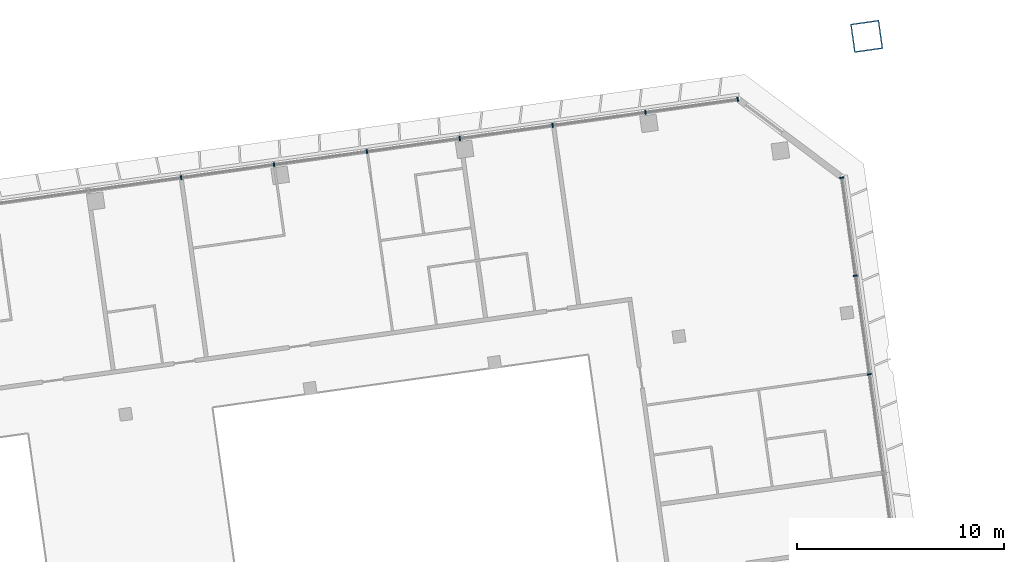
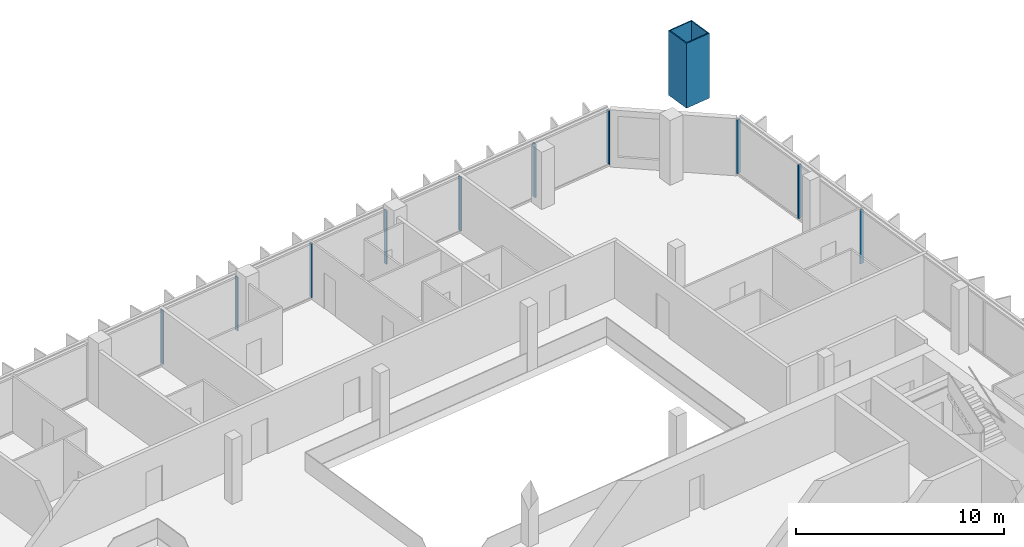
# One storey, part 13 of 25: 11 members, 2 elements without a shape of their own.
"""IFC4 building model written with IfcOpenShell, lengths in metres."""

import ifcopenshell
import ifcopenshell.guid

model = None  # the IFC model being written
_history = None  # IfcOwnerHistory: only IFC2X3 demands one
_inside = {}  # id of a spatial element -> (the spatial element, [elements in it])
_under = {}  # id of a project, library or spatial element -> (it, [spatial elements below it])
_declared = {}  # id of a project -> (the project, [libraries it declares])
_typed = {}  # id of a type object -> (the type object, [elements of that type])
_made_of = {}  # id of a material, layer set ... -> (it, [elements and type objects made of it])


def new_model(schema):
    """Start an empty IFC model of exactly this schema.

    Asked for "IFC4X3", IfcOpenShell would pick the latest addendum, in which some entities
    have other attributes; the version numbers below select the first issue.
    IFC2X3 requires an IfcOwnerHistory on every rooted entity: one is made here for all.
    """
    global model, _history
    if schema == "IFC4X3":
        model = ifcopenshell.file(schema_version=(4, 3, 0, 0))
    else:
        model = ifcopenshell.file(schema=schema)
    _inside.clear()
    _under.clear()
    _declared.clear()
    _typed.clear()
    _made_of.clear()
    _history = None
    if model.schema == "IFC2X3":
        org = make("IfcOrganization", Name="unknown")
        user = make(
            "IfcPersonAndOrganization",
            ThePerson=make("IfcPerson", FamilyName="unknown"),
            TheOrganization=org,
        )
        app = make(
            "IfcApplication",
            ApplicationDeveloper=org,
            Version="unknown",
            ApplicationFullName="unknown",
            ApplicationIdentifier="unknown",
        )
        _history = make(
            "IfcOwnerHistory",
            OwningUser=user,
            OwningApplication=app,
            ChangeAction="ADDED",
            CreationDate=0,
        )
    return model


def make(cls, **values):
    """One entity of the class cls with the attributes given. An attribute that is None is left unset."""
    return model.create_entity(
        cls, **{name: value for name, value in values.items() if value is not None}
    )


def rooted(cls, **values):
    """An entity with a GlobalId (a new one), such as an element, a storey or a relation."""
    return make(cls, GlobalId=ifcopenshell.guid.new(), OwnerHistory=_history, **values)


def si_unit(unit_type, name, prefix=None):
    """IfcSIUnit, for example si_unit("LENGTHUNIT", "METRE", prefix="MILLI")."""
    return make("IfcSIUnit", UnitType=unit_type, Prefix=prefix, Name=name)


def assignment(units):
    """IfcUnitAssignment: the units of a project."""
    return None if units is None else make("IfcUnitAssignment", Units=units)


def point(xyz):
    """IfcCartesianPoint."""
    return None if xyz is None else make("IfcCartesianPoint", Coordinates=xyz)


def direction(xyz):
    """IfcDirection."""
    return None if xyz is None else make("IfcDirection", DirectionRatios=xyz)


def frame(location, z_axis=None, x_axis=None):
    """IfcAxis2Placement3D, a coordinate frame: its origin and axes. An axis left out is left unset."""
    return make(
        "IfcAxis2Placement3D",
        Location=point(location),
        Axis=direction(z_axis),
        RefDirection=direction(x_axis),
    )


def frame_2d(location, x_axis=None):
    """IfcAxis2Placement2D, a coordinate frame in the plane: its origin and x axis."""
    return make(
        "IfcAxis2Placement2D", Location=point(location), RefDirection=direction(x_axis)
    )


def origin():
    """The frame at (0, 0, 0) with its axes left unset."""
    return frame((0.0, 0.0, 0.0))


def origin_2d():
    """The frame at (0, 0) in the plane with its x axis left unset."""
    return frame_2d((0.0, 0.0))


def place(relative_to, where):
    """IfcLocalPlacement: puts the frame where relative to a parent placement (None: the world)."""
    return make(
        "IfcLocalPlacement", PlacementRelTo=relative_to, RelativePlacement=where
    )


def context(
    kind, dimensions, precision=None, world=None, true_north=None, identifier=None
):
    """IfcGeometricRepresentationContext, for example the 3D "Model" context."""
    return make(
        "IfcGeometricRepresentationContext",
        ContextIdentifier=identifier,
        ContextType=kind,
        CoordinateSpaceDimension=dimensions,
        Precision=precision,
        WorldCoordinateSystem=world,
        TrueNorth=true_north,
    )


def subcontext(parent, identifier, kind, view, scale=None):
    """IfcGeometricRepresentationSubContext, for example "Body" below "Model"."""
    return make(
        "IfcGeometricRepresentationSubContext",
        ContextIdentifier=identifier,
        ContextType=kind,
        ParentContext=parent,
        TargetScale=scale,
        TargetView=view,
    )


def project(units=None, contexts=None):
    """IfcProject with its units and contexts."""
    return rooted(
        "IfcProject",
        Name="project",
        RepresentationContexts=contexts,
        UnitsInContext=assignment(units),
    )


def spatial(cls, under=None, at=None, **own):
    """A site, building, storey or space (cls), placed at a placement, below another one or the project."""
    s = rooted(cls, ObjectPlacement=at, **own)
    if under is not None:
        _under.setdefault(under.id(), (under, []))[1].append(s)
    return s


def profile(cls, at=None, kind="AREA", **sizes):
    """A parametric profile (cls). Its sizes go by their IFC names, for example OverallWidth=200.0."""
    return make(cls, ProfileType=kind, Position=at, **sizes)


def rectangle(**sizes):
    """IfcRectangleProfileDef."""
    return profile("IfcRectangleProfileDef", **sizes)


def hollow_rectangle(**sizes):
    """IfcRectangleHollowProfileDef."""
    return profile("IfcRectangleHollowProfileDef", **sizes)


def extrude(swept, where, along, depth):
    """IfcExtrudedAreaSolid: the profile swept, set in the frame where, extruded along a direction by depth."""
    return make(
        "IfcExtrudedAreaSolid",
        SweptArea=swept,
        Position=where,
        ExtrudedDirection=direction(along),
        Depth=depth,
    )


def shape(context_of_items, identifier, shape_type, items):
    """IfcShapeRepresentation: the items that make up one representation, for example the "Body"."""
    return make(
        "IfcShapeRepresentation",
        ContextOfItems=context_of_items,
        RepresentationIdentifier=identifier,
        RepresentationType=shape_type,
        Items=items,
    )


def material(Name=None, Category=None):
    """IfcMaterial."""
    return make("IfcMaterial", Name=Name, Category=Category)


def material_profile(
    of_material, cross_section, Name=None, Category=None, Priority=None
):
    """IfcMaterialProfile: a cross section and its material."""
    return make(
        "IfcMaterialProfile",
        Name=Name,
        Material=of_material,
        Profile=cross_section,
        Priority=Priority,
        Category=Category,
    )


def profile_set(profiles, Name=None, composite=None):
    """IfcMaterialProfileSet."""
    return make(
        "IfcMaterialProfileSet",
        Name=Name,
        MaterialProfiles=profiles,
        CompositeProfile=composite,
    )


def made_of(thing, what):
    """Note that an element or type object is made of a material, layer set ...; save() writes the relation."""
    if what is not None:
        _made_of.setdefault(what.id(), (what, []))[1].append(thing)
    return thing


def type_object(cls, material=None, **own):
    """A type object (cls), such as IfcWallType, which elements share."""
    return made_of(rooted(cls, **own), material)


def element(
    cls,
    number,
    at=None,
    inside=None,
    cuts=None,
    type_object=None,
    material=None,
    context=None,
    identifier="Body",
    shape_type=None,
    held_by="IfcProductDefinitionShape",
    body=None,
    shapes=None,
    **own,
):
    """One element of the class cls, such as IfcWall. Its Tag is "e" and its number.

    at: its placement. inside: the storey or other place that contains it. cuts: it is an
    opening in that element (IfcRelVoidsElement). A single representation is given by context,
    identifier, shape_type and body (its items); several are given by shapes. held_by: the class
    of the entity that holds the representations. save() writes the other relations.
    """
    e = rooted(cls, Tag="e%d" % number, ObjectPlacement=at, **own)
    if body is not None:
        shapes = [shape(context, identifier, shape_type, body)]
    if shapes is not None:
        e.Representation = make(held_by, Representations=shapes)
    if inside is not None:
        _inside.setdefault(inside.id(), (inside, []))[1].append(e)
    if cuts is not None:
        rooted(
            "IfcRelVoidsElement", RelatingBuildingElement=cuts, RelatedOpeningElement=e
        )
    if type_object is not None:
        _typed.setdefault(type_object.id(), (type_object, []))[1].append(e)
    return made_of(e, material)


def aggregate(whole, parts):
    """IfcRelAggregates: a whole, such as a stair, and the parts it consists of."""
    return rooted("IfcRelAggregates", RelatingObject=whole, RelatedObjects=parts)


def save(model, path):
    """Write the relations noted so far, then the file.

    IfcRelAggregates (storeys below a building ...), IfcRelContainedInSpatialStructure (elements
    in a storey), IfcRelDefinesByType, IfcRelAssociatesMaterial and IfcRelDeclares: one each for
    every whole, place, type object, material and project.
    """
    for whole, parts in _under.values():
        aggregate(whole, parts)
    for where, things in _inside.values():
        rooted(
            "IfcRelContainedInSpatialStructure",
            RelatedElements=things,
            RelatingStructure=where,
        )
    for kind, things in _typed.values():
        rooted("IfcRelDefinesByType", RelatedObjects=things, RelatingType=kind)
    for what, things in _made_of.values():
        rooted("IfcRelAssociatesMaterial", RelatedObjects=things, RelatingMaterial=what)
    for by, libraries in _declared.values():
        rooted("IfcRelDeclares", RelatingContext=by, RelatedDefinitions=libraries)
    model.write(path)


model = new_model("IFC4")

# Units and contexts
model_context = context("Model", 3, precision=1e-05, world=origin(), true_north=direction((0.0, 1.0)))
body_context = subcontext(model_context, "Body", "Model", "MODEL_VIEW")
ifc_project = project(units=[si_unit("LENGTHUNIT", "METRE"), si_unit("AREAUNIT", "SQUARE_METRE"), si_unit("VOLUMEUNIT", "CUBIC_METRE"), si_unit("PLANEANGLEUNIT", "RADIAN"), si_unit("MASSUNIT", "GRAM", prefix="KILO")], contexts=[model_context])

# Site, building, storey
site_placement = place(None, origin())
site = spatial("IfcSite", under=ifc_project, at=site_placement, CompositionType="ELEMENT")
building_placement = place(site_placement, origin())
building = spatial("IfcBuilding", under=site, at=building_placement, Name="Mirante Cascada Hotel Towers", CompositionType="ELEMENT")
storey_placement = place(building_placement, frame((0.0, 0.0, 172.6)))
storey = spatial("IfcBuildingStorey", under=building, at=storey_placement, Name="L40", CompositionType="ELEMENT", Elevation=172.6)

# Member
ifc_material_1 = material(Name="Steel ASTM A572 Gr 50", Category="steel")
ifc_material_profile_1 = material_profile(ifc_material_1, hollow_rectangle(XDim=1.4, YDim=1.4, WallThickness=0.06, at=origin_2d()), Name="Box post 1400x1400x60 ASTM A572 Gr 50")
ifc_profile_set_1 = profile_set([ifc_material_profile_1], Name="Steel ASTM A572 Gr 50")
member_type_1 = type_object("IfcMemberType", Name="Box post 1400x1400x60 ASTM A572 Gr 50", PredefinedType="POST", material=ifc_profile_set_1)
member_1_placement = place(storey_placement, frame((91.4448, 27.8419, 0.0), z_axis=(0.0, 0.0, 1.0), x_axis=(0.9902681, 0.1391731, 0.0)))
element("IfcMember", 1, at=member_1_placement, inside=storey, type_object=member_type_1, Name="Mega column MP3 T2 L40", PredefinedType="POST", context=body_context, shape_type="SweptSolid", body=[
    extrude(hollow_rectangle(XDim=1.4, YDim=1.4, WallThickness=0.06, at=origin_2d()), origin(), (0.0, 0.0, 1.0), 3.8),
])

# Curtain wall, members
ifc_material_2 = material(Name="Aluminium mullion and transom frame with clear laminated glass", Category="aluminium")
curtain_wall_type_1 = type_object("IfcCurtainWallType", Name="Ribbon curtain wall ECW1", PredefinedType="NOTDEFINED", material=ifc_material_2)
curtain_wall_1_placement = place(storey_placement, origin())
curtain_wall_1 = element("IfcCurtainWall", 2, at=curtain_wall_1_placement, inside=storey, type_object=curtain_wall_type_1, Name="Front ribbon wall T2 L40", PredefinedType="NOTDEFINED")
ifc_material_3 = material(Name="Anodised aluminium extrusion", Category="aluminium")
ifc_material_profile_2 = material_profile(ifc_material_3, rectangle(XDim=0.2, YDim=0.065, at=origin_2d()), Name="ECW1 MULLION 65x200")
ifc_profile_set_2 = profile_set([ifc_material_profile_2], Name="Anodised aluminium extrusion")
member_type_2 = type_object("IfcMemberType", Name="ECW1 mullion 65x200", PredefinedType="MULLION", material=ifc_profile_set_2)
member_2_placement = place(storey_placement, frame((85.2136, 24.795, 0.1), z_axis=(0.0, 0.0, 1.0), x_axis=(0.1391731, -0.9902681, 0.0)))
member_2 = element("IfcMember", 3, at=member_2_placement, type_object=member_type_2, Name="ECW1 mullion 1", PredefinedType="MULLION", context=body_context, shape_type="SweptSolid", body=[
    extrude(rectangle(XDim=0.2, YDim=0.065, at=origin_2d()), origin(), (0.0, 0.0, 1.0), 3.15),
])
member_3_placement = place(storey_placement, frame((80.758, 24.1688, 0.1), z_axis=(0.0, 0.0, 1.0), x_axis=(0.1391731, -0.9902681, 0.0)))
member_3 = element("IfcMember", 4, at=member_3_placement, type_object=member_type_2, Name="ECW1 mullion 2", PredefinedType="MULLION", context=body_context, shape_type="SweptSolid", body=[
    extrude(rectangle(XDim=0.2, YDim=0.065, at=origin_2d()), origin(), (0.0, 0.0, 1.0), 3.15),
])
member_4_placement = place(storey_placement, frame((76.2702, 23.5381, 0.1), z_axis=(0.0, 0.0, 1.0), x_axis=(0.1391731, -0.9902681, 0.0)))
member_4 = element("IfcMember", 5, at=member_4_placement, type_object=member_type_2, Name="ECW1 mullion 3", PredefinedType="MULLION", context=body_context, shape_type="SweptSolid", body=[
    extrude(rectangle(XDim=0.2, YDim=0.065, at=origin_2d()), origin(), (0.0, 0.0, 1.0), 3.15),
])
member_5_placement = place(storey_placement, frame((71.7824, 22.9074, 0.1), z_axis=(0.0, 0.0, 1.0), x_axis=(0.1391731, -0.9902681, 0.0)))
member_5 = element("IfcMember", 6, at=member_5_placement, type_object=member_type_2, Name="ECW1 mullion 4", PredefinedType="MULLION", context=body_context, shape_type="SweptSolid", body=[
    extrude(rectangle(XDim=0.2, YDim=0.065, at=origin_2d()), origin(), (0.0, 0.0, 1.0), 3.15),
])
member_6_placement = place(storey_placement, frame((67.2947, 22.2767, 0.1), z_axis=(0.0, 0.0, 1.0), x_axis=(0.1391731, -0.9902681, 0.0)))
member_6 = element("IfcMember", 7, at=member_6_placement, type_object=member_type_2, Name="ECW1 mullion 5", PredefinedType="MULLION", context=body_context, shape_type="SweptSolid", body=[
    extrude(rectangle(XDim=0.2, YDim=0.065, at=origin_2d()), origin(), (0.0, 0.0, 1.0), 3.15),
])
member_7_placement = place(storey_placement, frame((62.8069, 21.646, 0.1), z_axis=(0.0, 0.0, 1.0), x_axis=(0.1391731, -0.9902681, 0.0)))
member_7 = element("IfcMember", 8, at=member_7_placement, type_object=member_type_2, Name="ECW1 mullion 6", PredefinedType="MULLION", context=body_context, shape_type="SweptSolid", body=[
    extrude(rectangle(XDim=0.2, YDim=0.065, at=origin_2d()), origin(), (0.0, 0.0, 1.0), 3.15),
])
member_8_placement = place(storey_placement, frame((58.3191, 21.0152, 0.1), z_axis=(0.0, 0.0, 1.0), x_axis=(0.1391731, -0.9902681, 0.0)))
member_8 = element("IfcMember", 9, at=member_8_placement, type_object=member_type_2, Name="ECW1 mullion 7", PredefinedType="MULLION", context=body_context, shape_type="SweptSolid", body=[
    extrude(rectangle(XDim=0.2, YDim=0.065, at=origin_2d()), origin(), (0.0, 0.0, 1.0), 3.15),
])
aggregate(curtain_wall_1, [member_2, member_3, member_4, member_5, member_6, member_7, member_8])

ifc_material_4 = material(Name="Aluminium mullion and transom frame with clear laminated glass", Category="aluminium")
curtain_wall_type_2 = type_object("IfcCurtainWallType", Name="End ribbon curtain wall ECW2", PredefinedType="NOTDEFINED", material=ifc_material_4)
curtain_wall_2_placement = place(storey_placement, origin())
curtain_wall_2 = element("IfcCurtainWall", 10, at=curtain_wall_2_placement, inside=storey, type_object=curtain_wall_type_2, Name="Outer end wall T2 L40", PredefinedType="NOTDEFINED")
ifc_material_5 = material(Name="Anodised aluminium extrusion", Category="aluminium")
ifc_material_profile_3 = material_profile(ifc_material_5, rectangle(XDim=0.2, YDim=0.065, at=origin_2d()), Name="ECW2 MULLION 65x200")
ifc_profile_set_3 = profile_set([ifc_material_profile_3], Name="Anodised aluminium extrusion")
member_type_3 = type_object("IfcMemberType", Name="ECW2 mullion 65x200", PredefinedType="MULLION", material=ifc_profile_set_3)
member_9_placement = place(storey_placement, frame((91.5686, 11.5128, 0.1), z_axis=(0.0, 0.0, 1.0), x_axis=(-0.9902681, -0.1391731, 0.0)))
member_9 = element("IfcMember", 11, at=member_9_placement, type_object=member_type_3, Name="ECW2 mullion 5", PredefinedType="MULLION", context=body_context, shape_type="SweptSolid", body=[
    extrude(rectangle(XDim=0.2, YDim=0.065, at=origin_2d()), origin(), (0.0, 0.0, 1.0), 3.15),
])
member_10_placement = place(storey_placement, frame((90.8988, 16.2786, 0.1), z_axis=(0.0, 0.0, 1.0), x_axis=(-0.9902681, -0.1391731, 0.0)))
member_10 = element("IfcMember", 12, at=member_10_placement, type_object=member_type_3, Name="ECW2 mullion 6", PredefinedType="MULLION", context=body_context, shape_type="SweptSolid", body=[
    extrude(rectangle(XDim=0.2, YDim=0.065, at=origin_2d()), origin(), (0.0, 0.0, 1.0), 3.15),
])
member_11_placement = place(storey_placement, frame((90.2335, 21.0122, 0.1), z_axis=(0.0, 0.0, 1.0), x_axis=(-0.9902681, -0.1391731, 0.0)))
member_11 = element("IfcMember", 13, at=member_11_placement, type_object=member_type_3, Name="ECW2 mullion 7", PredefinedType="MULLION", context=body_context, shape_type="SweptSolid", body=[
    extrude(rectangle(XDim=0.2, YDim=0.065, at=origin_2d()), origin(), (0.0, 0.0, 1.0), 3.15),
])
aggregate(curtain_wall_2, [member_9, member_10, member_11])

save(model, "model.ifc")
